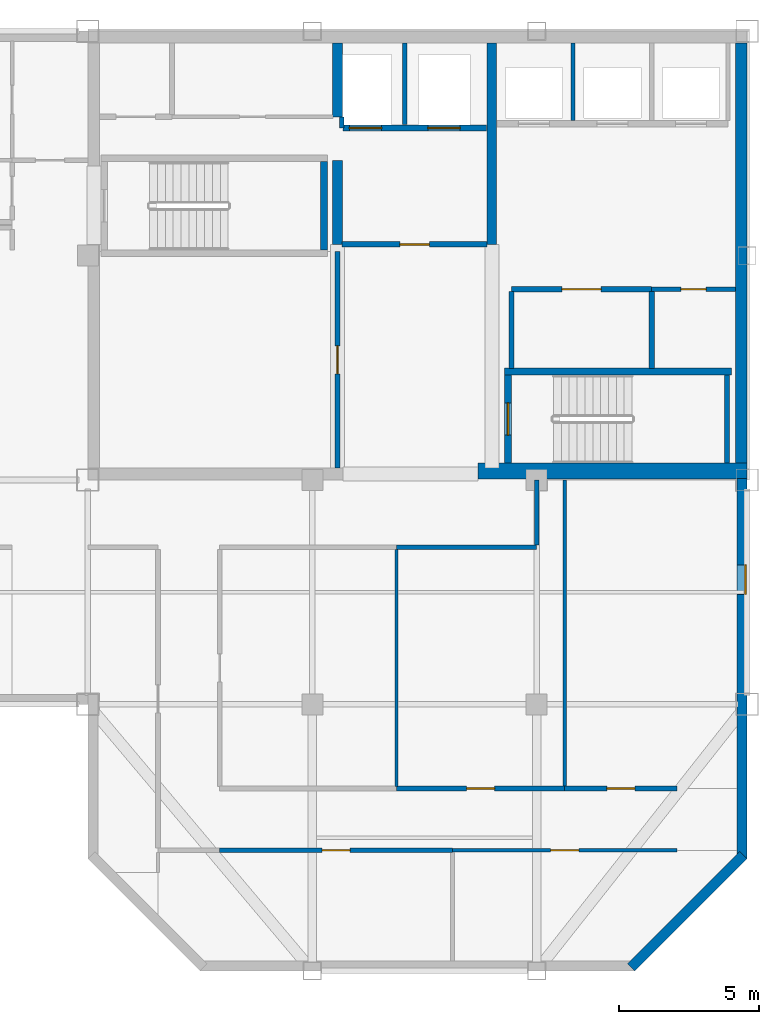
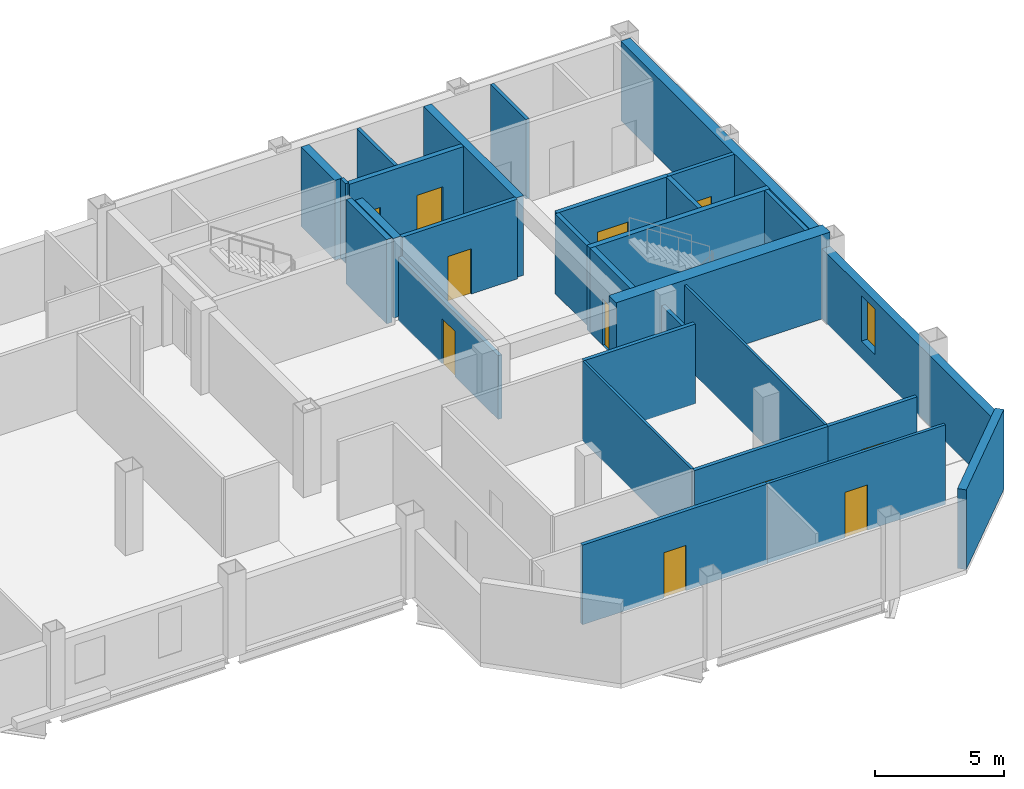
# One storey, part 3 of 7: 29 walls, 11 doors, 1 window, 12 openings.
"""IFC4 building model written with IfcOpenShell, lengths in metres."""

import ifcopenshell
import ifcopenshell.guid

model = None  # the IFC model being written
_history = None  # IfcOwnerHistory: only IFC2X3 demands one
_inside = {}  # id of a spatial element -> (the spatial element, [elements in it])
_under = {}  # id of a project, library or spatial element -> (it, [spatial elements below it])
_declared = {}  # id of a project -> (the project, [libraries it declares])
_typed = {}  # id of a type object -> (the type object, [elements of that type])
_made_of = {}  # id of a material, layer set ... -> (it, [elements and type objects made of it])


def new_model(schema):
    """Start an empty IFC model of exactly this schema.

    Asked for "IFC4X3", IfcOpenShell would pick the latest addendum, in which some entities
    have other attributes; the version numbers below select the first issue.
    IFC2X3 requires an IfcOwnerHistory on every rooted entity: one is made here for all.
    """
    global model, _history
    if schema == "IFC4X3":
        model = ifcopenshell.file(schema_version=(4, 3, 0, 0))
    else:
        model = ifcopenshell.file(schema=schema)
    _inside.clear()
    _under.clear()
    _declared.clear()
    _typed.clear()
    _made_of.clear()
    _history = None
    if model.schema == "IFC2X3":
        org = make("IfcOrganization", Name="unknown")
        user = make(
            "IfcPersonAndOrganization",
            ThePerson=make("IfcPerson", FamilyName="unknown"),
            TheOrganization=org,
        )
        app = make(
            "IfcApplication",
            ApplicationDeveloper=org,
            Version="unknown",
            ApplicationFullName="unknown",
            ApplicationIdentifier="unknown",
        )
        _history = make(
            "IfcOwnerHistory",
            OwningUser=user,
            OwningApplication=app,
            ChangeAction="ADDED",
            CreationDate=0,
        )
    return model


def make(cls, **values):
    """One entity of the class cls with the attributes given. An attribute that is None is left unset."""
    return model.create_entity(
        cls, **{name: value for name, value in values.items() if value is not None}
    )


def rooted(cls, **values):
    """An entity with a GlobalId (a new one), such as an element, a storey or a relation."""
    return make(cls, GlobalId=ifcopenshell.guid.new(), OwnerHistory=_history, **values)


def si_unit(unit_type, name, prefix=None):
    """IfcSIUnit, for example si_unit("LENGTHUNIT", "METRE", prefix="MILLI")."""
    return make("IfcSIUnit", UnitType=unit_type, Prefix=prefix, Name=name)


def assignment(units):
    """IfcUnitAssignment: the units of a project."""
    return None if units is None else make("IfcUnitAssignment", Units=units)


def point(xyz):
    """IfcCartesianPoint."""
    return None if xyz is None else make("IfcCartesianPoint", Coordinates=xyz)


def direction(xyz):
    """IfcDirection."""
    return None if xyz is None else make("IfcDirection", DirectionRatios=xyz)


def frame(location, z_axis=None, x_axis=None):
    """IfcAxis2Placement3D, a coordinate frame: its origin and axes. An axis left out is left unset."""
    return make(
        "IfcAxis2Placement3D",
        Location=point(location),
        Axis=direction(z_axis),
        RefDirection=direction(x_axis),
    )


def frame_2d(location, x_axis=None):
    """IfcAxis2Placement2D, a coordinate frame in the plane: its origin and x axis."""
    return make(
        "IfcAxis2Placement2D", Location=point(location), RefDirection=direction(x_axis)
    )


def origin():
    """The frame at (0, 0, 0) with its axes left unset."""
    return frame((0.0, 0.0, 0.0))


def place(relative_to, where):
    """IfcLocalPlacement: puts the frame where relative to a parent placement (None: the world)."""
    return make(
        "IfcLocalPlacement", PlacementRelTo=relative_to, RelativePlacement=where
    )


def context(
    kind, dimensions, precision=None, world=None, true_north=None, identifier=None
):
    """IfcGeometricRepresentationContext, for example the 3D "Model" context."""
    return make(
        "IfcGeometricRepresentationContext",
        ContextIdentifier=identifier,
        ContextType=kind,
        CoordinateSpaceDimension=dimensions,
        Precision=precision,
        WorldCoordinateSystem=world,
        TrueNorth=true_north,
    )


def subcontext(parent, identifier, kind, view, scale=None):
    """IfcGeometricRepresentationSubContext, for example "Body" below "Model"."""
    return make(
        "IfcGeometricRepresentationSubContext",
        ContextIdentifier=identifier,
        ContextType=kind,
        ParentContext=parent,
        TargetScale=scale,
        TargetView=view,
    )


def project(units=None, contexts=None):
    """IfcProject with its units and contexts."""
    return rooted(
        "IfcProject",
        Name="project",
        RepresentationContexts=contexts,
        UnitsInContext=assignment(units),
    )


def spatial(cls, under=None, at=None, **own):
    """A site, building, storey or space (cls), placed at a placement, below another one or the project."""
    s = rooted(cls, ObjectPlacement=at, **own)
    if under is not None:
        _under.setdefault(under.id(), (under, []))[1].append(s)
    return s


def profile(cls, at=None, kind="AREA", **sizes):
    """A parametric profile (cls). Its sizes go by their IFC names, for example OverallWidth=200.0."""
    return make(cls, ProfileType=kind, Position=at, **sizes)


def rectangle(**sizes):
    """IfcRectangleProfileDef."""
    return profile("IfcRectangleProfileDef", **sizes)


def extrude(swept, where, along, depth):
    """IfcExtrudedAreaSolid: the profile swept, set in the frame where, extruded along a direction by depth."""
    return make(
        "IfcExtrudedAreaSolid",
        SweptArea=swept,
        Position=where,
        ExtrudedDirection=direction(along),
        Depth=depth,
    )


def shape(context_of_items, identifier, shape_type, items):
    """IfcShapeRepresentation: the items that make up one representation, for example the "Body"."""
    return make(
        "IfcShapeRepresentation",
        ContextOfItems=context_of_items,
        RepresentationIdentifier=identifier,
        RepresentationType=shape_type,
        Items=items,
    )


def material(Name=None, Category=None):
    """IfcMaterial."""
    return make("IfcMaterial", Name=Name, Category=Category)


def layer(
    of_material, thickness, ventilated=None, Name=None, Category=None, Priority=None
):
    """IfcMaterialLayer: one layer of a wall or slab, of a material (None: an air gap)."""
    return make(
        "IfcMaterialLayer",
        Material=of_material,
        LayerThickness=thickness,
        IsVentilated=ventilated,
        Name=Name,
        Category=Category,
        Priority=Priority,
    )


def layer_set(layers, Name=None):
    """IfcMaterialLayerSet."""
    return make("IfcMaterialLayerSet", MaterialLayers=layers, LayerSetName=Name)


def made_of(thing, what):
    """Note that an element or type object is made of a material, layer set ...; save() writes the relation."""
    if what is not None:
        _made_of.setdefault(what.id(), (what, []))[1].append(thing)
    return thing


def type_object(cls, material=None, **own):
    """A type object (cls), such as IfcWallType, which elements share."""
    return made_of(rooted(cls, **own), material)


def element(
    cls,
    number,
    at=None,
    inside=None,
    cuts=None,
    type_object=None,
    material=None,
    context=None,
    identifier="Body",
    shape_type=None,
    held_by="IfcProductDefinitionShape",
    body=None,
    shapes=None,
    **own,
):
    """One element of the class cls, such as IfcWall. Its Tag is "e" and its number.

    at: its placement. inside: the storey or other place that contains it. cuts: it is an
    opening in that element (IfcRelVoidsElement). A single representation is given by context,
    identifier, shape_type and body (its items); several are given by shapes. held_by: the class
    of the entity that holds the representations. save() writes the other relations.
    """
    e = rooted(cls, Tag="e%d" % number, ObjectPlacement=at, **own)
    if body is not None:
        shapes = [shape(context, identifier, shape_type, body)]
    if shapes is not None:
        e.Representation = make(held_by, Representations=shapes)
    if inside is not None:
        _inside.setdefault(inside.id(), (inside, []))[1].append(e)
    if cuts is not None:
        rooted(
            "IfcRelVoidsElement", RelatingBuildingElement=cuts, RelatedOpeningElement=e
        )
    if type_object is not None:
        _typed.setdefault(type_object.id(), (type_object, []))[1].append(e)
    return made_of(e, material)


def fill(opening, filler):
    """IfcRelFillsElement: the door or window that sits in an opening."""
    return rooted(
        "IfcRelFillsElement",
        RelatingOpeningElement=opening,
        RelatedBuildingElement=filler,
    )


def aggregate(whole, parts):
    """IfcRelAggregates: a whole, such as a stair, and the parts it consists of."""
    return rooted("IfcRelAggregates", RelatingObject=whole, RelatedObjects=parts)


def save(model, path):
    """Write the relations noted so far, then the file.

    IfcRelAggregates (storeys below a building ...), IfcRelContainedInSpatialStructure (elements
    in a storey), IfcRelDefinesByType, IfcRelAssociatesMaterial and IfcRelDeclares: one each for
    every whole, place, type object, material and project.
    """
    for whole, parts in _under.values():
        aggregate(whole, parts)
    for where, things in _inside.values():
        rooted(
            "IfcRelContainedInSpatialStructure",
            RelatedElements=things,
            RelatingStructure=where,
        )
    for kind, things in _typed.values():
        rooted("IfcRelDefinesByType", RelatedObjects=things, RelatingType=kind)
    for what, things in _made_of.values():
        rooted("IfcRelAssociatesMaterial", RelatedObjects=things, RelatingMaterial=what)
    for by, libraries in _declared.values():
        rooted("IfcRelDeclares", RelatingContext=by, RelatedDefinitions=libraries)
    model.write(path)


model = new_model("IFC4")

# Units and contexts
model_context = context("Model", 3, precision=1e-05, world=origin(), true_north=direction((0.0, 1.0)))
body_context = subcontext(model_context, "Body", "Model", "MODEL_VIEW")
ifc_project = project(units=[si_unit("LENGTHUNIT", "METRE"), si_unit("AREAUNIT", "SQUARE_METRE"), si_unit("VOLUMEUNIT", "CUBIC_METRE"), si_unit("PLANEANGLEUNIT", "RADIAN"), si_unit("MASSUNIT", "GRAM", prefix="KILO")], contexts=[model_context])

# Site, building, storey
site_placement = place(None, origin())
site = spatial("IfcSite", under=ifc_project, at=site_placement, CompositionType="ELEMENT")
building_placement = place(site_placement, origin())
building = spatial("IfcBuilding", under=site, at=building_placement, Name="Qianrong Seaharbour Tower", CompositionType="ELEMENT")
storey_placement = place(building_placement, frame((0.0, 0.0, 327.199951171875)))
storey = spatial("IfcBuildingStorey", under=building, at=storey_placement, Name="L79", CompositionType="ELEMENT", Elevation=327.199951171875)

# Walls
ifc_material_1 = material(Name="Concrete C50/60", Category="concrete")
ifc_layer_1 = layer(ifc_material_1, 0.419921875)
ifc_layer_set_1 = layer_set([ifc_layer_1], Name="Concrete C50/60")
wall_type_1 = type_object("IfcWallType", Name="WALL-CORE-420", PredefinedType="SHEAR", material=ifc_layer_set_1)
wall_1_placement = place(storey_placement, frame((63.7900390625, 36.320068359375, 0.0), z_axis=(0.0, 0.0, 1.0), x_axis=(0.0, 1.0, 0.0)))
element("IfcWall", 1, at=wall_1_placement, inside=storey, type_object=wall_type_1, Name="L79 East Core Shear Wall", PredefinedType="SHEAR", context=body_context, shape_type="SweptSolid", body=[
    extrude(rectangle(XDim=15.260009765625, YDim=0.419921875, at=frame_2d((7.6298828125, 0.0))), origin(), (0.0, 0.0, 1.0), 3.78515625),
])
ifc_material_2 = material(Name="Concrete C70/85", Category="concrete")
ifc_layer_2 = layer(ifc_material_2, 0.580078125)
ifc_layer_set_2 = layer_set([ifc_layer_2], Name="Concrete C70/85")
wall_type_2 = type_object("IfcWallType", Name="WALL-CORE-580", PredefinedType="SHEAR", material=ifc_layer_set_2)
wall_2_placement = place(storey_placement, frame((54.39990234375, 36.320068359375, 0.0), z_axis=(0.0, 0.0, 1.0), x_axis=(1.0, 0.0, 0.0)))
element("IfcWall", 2, at=wall_2_placement, inside=storey, type_object=wall_type_2, Name="L79 South Core Shear Wall S3", PredefinedType="SHEAR", context=body_context, shape_type="SweptSolid", body=[
    extrude(rectangle(XDim=9.60009765625, YDim=0.580078125, at=frame_2d((4.800048828125, 0.0))), origin(), (0.0, 0.0, 1.0), 4.0),
])
ifc_layer_3 = layer(ifc_material_1, 0.35009765625)
ifc_layer_set_3 = layer_set([ifc_layer_3], Name="Concrete C50/60")
wall_type_3 = type_object("IfcWallType", Name="WALL-CORE-INT-350", PredefinedType="SHEAR", material=ifc_layer_set_3)
wall_3_placement = place(storey_placement, frame((49.39990234375, 44.39990234375, 0.0), z_axis=(0.0, 0.0, 1.0), x_axis=(0.0, 1.0, 0.0)))
element("IfcWall", 3, at=wall_3_placement, inside=storey, type_object=wall_type_3, Name="L79 Internal Core Shear Wall IW1N1", PredefinedType="SHEAR", context=body_context, shape_type="SweptSolid", body=[
    extrude(rectangle(XDim=3.0, YDim=0.35009765625, at=frame_2d((1.5, 0.0))), origin(), (0.0, 0.0, 1.0), 3.78515625),
])
wall_4_placement = place(storey_placement, frame((49.39990234375, 48.949951171875, 0.0), z_axis=(0.0, 0.0, 1.0), x_axis=(0.0, 1.0, 0.0)))
element("IfcWall", 4, at=wall_4_placement, inside=storey, type_object=wall_type_3, Name="L79 Internal Core Shear Wall IW1N2", PredefinedType="SHEAR", context=body_context, shape_type="SweptSolid", body=[
    extrude(rectangle(XDim=2.630126953125, YDim=0.35009765625, at=frame_2d((1.31494140625, 0.0))), origin(), (0.0, 0.0, 1.0), 3.78515625),
])
wall_5_placement = place(storey_placement, frame((54.89990234375, 44.39990234375, 0.0), z_axis=(0.0, 0.0, 1.0), x_axis=(0.0, 1.0, 0.0)))
element("IfcWall", 5, at=wall_5_placement, inside=storey, type_object=wall_type_3, Name="L79 Internal Core Shear Wall IW2N", PredefinedType="SHEAR", context=body_context, shape_type="SweptSolid", body=[
    extrude(rectangle(XDim=7.18017578125, YDim=0.35009765625, at=frame_2d((3.590087890625, 0.0))), origin(), (0.0, 0.0, 1.0), 3.78515625),
])

# Wall, opening, door
ifc_material_3 = material(Name="Fire-rated acoustic gypsum board partition")
ifc_layer_4 = layer(ifc_material_3, 0.1650390625)
ifc_layer_set_4 = layer_set([ifc_layer_4], Name="Fire-rated acoustic gypsum board partition")
wall_type_4 = type_object("IfcWallType", Name="WALL-CORR-PART-165", PredefinedType="PARTITIONING", material=ifc_layer_set_4)
wall_6_placement = place(storey_placement, frame((49.39990234375, 36.419921875, 0.0), z_axis=(0.0, 0.0, 1.0), x_axis=(0.0, 1.0, 0.0)))
wall_6 = element("IfcWall", 6, at=wall_6_placement, inside=storey, type_object=wall_type_4, Name="L79 Interior Partition Wall 009", PredefinedType="PARTITIONING", context=body_context, shape_type="SweptSolid", body=[
    extrude(rectangle(XDim=7.72998046875, YDim=0.1650390625, at=frame_2d((3.864990234375, 0.0))), origin(), (0.0, 0.0, 1.0), 3.027099609375),
])
opening_1_placement = place(wall_6_placement, frame((3.364990234375, 0.0, 0.0)))
opening_1 = element("IfcOpeningElement", 7, at=opening_1_placement, cuts=wall_6, Name="Opening DO-01", PredefinedType="OPENING", context=body_context, shape_type="SweptSolid", body=[
    extrude(rectangle(XDim=1.0, YDim=2.14990234375, at=frame_2d((0.5, 1.074951171875))), frame((0.0, 0.092529296875, 0.0), z_axis=(0.0, -1.0, 0.0), x_axis=(1.0, 0.0, 0.0)), (0.0, 0.0, 1.0), 0.18505859375),
])
ifc_material_4 = material(Name="Acoustic timber and galvanized steel fire door assembly", Category="steel")
door_type_1 = type_object("IfcDoorType", Name="DOOR-OFFICE-1000x2150", OperationType="NOTDEFINED", PredefinedType="DOOR", material=ifc_material_4)
door_1_placement = place(opening_1_placement, origin())
door_1 = element("IfcDoor", 8, at=door_1_placement, inside=storey, type_object=door_type_1, Name="L79 Data Systems Office Door", OperationType="SINGLE_SWING_RIGHT", OverallHeight=2.14990234375, OverallWidth=1.0, PredefinedType="DOOR", context=body_context, shape_type="SweptSolid", body=[
    extrude(rectangle(XDim=1.0, YDim=2.14990234375, at=frame_2d((0.5, 1.074951171875))), frame((0.0, 0.02490234375, 0.0), z_axis=(0.0, -1.0, 0.0), x_axis=(1.0, 0.0, 0.0)), (0.0, 0.0, 1.0), 0.050048828125),
])
fill(opening_1, door_1)

wall_7_placement = place(storey_placement, frame((63.580078125, 42.800048828125, 0.0), z_axis=(0.0, 0.0, 1.0), x_axis=(-1.0, 0.0, 0.0)))
wall_7 = element("IfcWall", 9, at=wall_7_placement, inside=storey, type_object=wall_type_4, Name="L79 Interior Partition Wall 012", PredefinedType="PARTITIONING", context=body_context, shape_type="SweptSolid", body=[
    extrude(rectangle(XDim=2.97998046875, YDim=0.1650390625, at=frame_2d((1.489990234375, 0.0))), origin(), (0.0, 0.0, 1.0), 3.78515625),
])
opening_2_placement = place(wall_7_placement, frame((1.0400390625, 0.0, 0.0)))
opening_2 = element("IfcOpeningElement", 10, at=opening_2_placement, cuts=wall_7, Name="Opening DS-01", PredefinedType="OPENING", context=body_context, shape_type="SweptSolid", body=[
    extrude(rectangle(XDim=0.89990234375, YDim=2.14990234375, at=frame_2d((0.449951171875, 1.074951171875))), frame((0.0, 0.092529296875, 0.0), z_axis=(0.0, -1.0, 0.0), x_axis=(1.0, 0.0, 0.0)), (0.0, 0.0, 1.0), 0.18505859375),
])
door_type_2 = type_object("IfcDoorType", Name="DOOR-STORE-900x2150", OperationType="NOTDEFINED", PredefinedType="DOOR", material=ifc_material_4)
door_2_placement = place(opening_2_placement, origin())
door_2 = element("IfcDoor", 11, at=door_2_placement, inside=storey, type_object=door_type_2, Name="L79 Housekeeping Linen Store Door", OperationType="SINGLE_SWING_RIGHT", OverallHeight=2.14990234375, OverallWidth=0.89990234375, PredefinedType="DOOR", context=body_context, shape_type="SweptSolid", body=[
    extrude(rectangle(XDim=0.89990234375, YDim=2.14990234375, at=frame_2d((0.449951171875, 1.074951171875))), frame((0.0, 0.02490234375, 0.0), z_axis=(0.0, -1.0, 0.0), x_axis=(1.0, 0.0, 0.0)), (0.0, 0.0, 1.0), 0.050048828125),
])
fill(opening_2, door_2)

# Walls
wall_8_placement = place(storey_placement, frame((56.5, 36.0, 0.0), z_axis=(0.0, 0.0, 1.0), x_axis=(0.0, -1.0, 0.0)))
element("IfcWall", 12, at=wall_8_placement, inside=storey, type_object=wall_type_4, Name="L79 Interior Partition Wall 024", PredefinedType="PARTITIONING", context=body_context, shape_type="SweptSolid", body=[
    extrude(rectangle(XDim=2.325439453125, YDim=0.1650390625, at=frame_2d((1.16259765625, 0.0))), origin(), (0.0, 0.0, 1.0), 3.177001953125),
])
wall_9_placement = place(storey_placement, frame((56.5, 33.60009765625, 0.0), z_axis=(0.0, 0.0, 1.0), x_axis=(-1.0, 0.0, 0.0)))
element("IfcWall", 13, at=wall_9_placement, inside=storey, type_object=wall_type_4, Name="L79 Interior Partition Wall 025", PredefinedType="PARTITIONING", context=body_context, shape_type="SweptSolid", body=[
    extrude(rectangle(XDim=5.0, YDim=0.1650390625, at=frame_2d((2.5, 0.0))), origin(), (0.0, 0.0, 1.0), 3.78515625),
])

# Wall, opening, door
wall_10_placement = place(storey_placement, frame((51.5, 25.0, 0.0), z_axis=(0.0, 0.0, 1.0), x_axis=(1.0, 0.0, 0.0)))
wall_10 = element("IfcWall", 14, at=wall_10_placement, inside=storey, type_object=wall_type_4, Name="L79 Interior Partition Wall 031", PredefinedType="PARTITIONING", context=body_context, shape_type="SweptSolid", body=[
    extrude(rectangle(XDim=6.0, YDim=0.1650390625, at=frame_2d((3.0, 0.0))), origin(), (0.0, 0.0, 1.0), 3.78515625),
])
opening_3_placement = place(wall_10_placement, frame((2.5, 0.0, 0.0)))
opening_3 = element("IfcOpeningElement", 15, at=opening_3_placement, cuts=wall_10, Name="Opening DO-01", PredefinedType="OPENING", context=body_context, shape_type="SweptSolid", body=[
    extrude(rectangle(XDim=1.0, YDim=2.14990234375, at=frame_2d((0.5, 1.074951171875))), frame((0.0, 0.092529296875, 0.0), z_axis=(0.0, -1.0, 0.0), x_axis=(1.0, 0.0, 0.0)), (0.0, 0.0, 1.0), 0.18505859375),
])
door_3_placement = place(opening_3_placement, origin())
door_3 = element("IfcDoor", 16, at=door_3_placement, inside=storey, type_object=door_type_1, Name="L79 Catering Servery Kitchen 2 Door", OperationType="SINGLE_SWING_LEFT", OverallHeight=2.14990234375, OverallWidth=1.0, PredefinedType="DOOR", context=body_context, shape_type="SweptSolid", body=[
    extrude(rectangle(XDim=1.0, YDim=2.14990234375, at=frame_2d((0.5, 1.074951171875))), frame((0.0, 0.02490234375, 0.0), z_axis=(0.0, -1.0, 0.0), x_axis=(1.0, 0.0, 0.0)), (0.0, 0.0, 1.0), 0.050048828125),
])
fill(opening_3, door_3)

wall_11_placement = place(storey_placement, frame((57.5, 25.0, 0.0), z_axis=(0.0, 0.0, 1.0), x_axis=(1.0, 0.0, 0.0)))
wall_11 = element("IfcWall", 17, at=wall_11_placement, inside=storey, type_object=wall_type_4, Name="L79 Interior Partition Wall 032", PredefinedType="PARTITIONING", context=body_context, shape_type="SweptSolid", body=[
    extrude(rectangle(XDim=4.0, YDim=0.1650390625, at=frame_2d((2.0, 0.0))), origin(), (0.0, 0.0, 1.0), 3.78515625),
])
opening_4_placement = place(wall_11_placement, frame((1.5, 0.0, 0.0)))
opening_4 = element("IfcOpeningElement", 18, at=opening_4_placement, cuts=wall_11, Name="Opening DO-01", PredefinedType="OPENING", context=body_context, shape_type="SweptSolid", body=[
    extrude(rectangle(XDim=1.0, YDim=2.14990234375, at=frame_2d((0.5, 1.074951171875))), frame((0.0, 0.092529296875, 0.0), z_axis=(0.0, -1.0, 0.0), x_axis=(1.0, 0.0, 0.0)), (0.0, 0.0, 1.0), 0.18505859375),
])
door_4_placement = place(opening_4_placement, origin())
door_4 = element("IfcDoor", 19, at=door_4_placement, inside=storey, type_object=door_type_1, Name="L79 Staff Lounge 3 Door", OperationType="SINGLE_SWING_RIGHT", OverallHeight=2.14990234375, OverallWidth=1.0, PredefinedType="DOOR", context=body_context, shape_type="SweptSolid", body=[
    extrude(rectangle(XDim=1.0, YDim=2.14990234375, at=frame_2d((0.5, 1.074951171875))), frame((0.0, 0.02490234375, 0.0), z_axis=(0.0, -1.0, 0.0), x_axis=(1.0, 0.0, 0.0)), (0.0, 0.0, 1.0), 0.050048828125),
])
fill(opening_4, door_4)

wall_12_placement = place(storey_placement, frame((53.5, 22.800048828125, 0.0), z_axis=(0.0, 0.0, 1.0), x_axis=(-1.0, 0.0, 0.0)))
wall_12 = element("IfcWall", 20, at=wall_12_placement, inside=storey, type_object=wall_type_4, Name="L79 Interior Partition Wall 033", PredefinedType="PARTITIONING", context=body_context, shape_type="SweptSolid", body=[
    extrude(rectangle(XDim=8.300048828125, YDim=0.1650390625, at=frame_2d((4.14990234375, 0.0))), origin(), (0.0, 0.0, 1.0), 3.78515625),
])
opening_5_placement = place(wall_12_placement, frame((3.64990234375, 0.0, 0.0)))
opening_5 = element("IfcOpeningElement", 21, at=opening_5_placement, cuts=wall_12, Name="Opening DO-01", PredefinedType="OPENING", context=body_context, shape_type="SweptSolid", body=[
    extrude(rectangle(XDim=1.0, YDim=2.14990234375, at=frame_2d((0.5, 1.074951171875))), frame((0.0, 0.092529296875, 0.0), z_axis=(0.0, -1.0, 0.0), x_axis=(1.0, 0.0, 0.0)), (0.0, 0.0, 1.0), 0.18505859375),
])
door_5_placement = place(opening_5_placement, origin())
door_5 = element("IfcDoor", 22, at=door_5_placement, inside=storey, type_object=door_type_1, Name="L79 South View Lounge 1 Door", OperationType="SINGLE_SWING_RIGHT", OverallHeight=2.14990234375, OverallWidth=1.0, PredefinedType="DOOR", context=body_context, shape_type="SweptSolid", body=[
    extrude(rectangle(XDim=1.0, YDim=2.14990234375, at=frame_2d((0.5, 1.074951171875))), frame((0.0, 0.02490234375, 0.0), z_axis=(0.0, -1.0, 0.0), x_axis=(1.0, 0.0, 0.0)), (0.0, 0.0, 1.0), 0.050048828125),
])
fill(opening_5, door_5)

# Walls
ifc_material_5 = material(Name="Demountable aluminium-framed acoustic office partition", Category="aluminium")
ifc_layer_5 = layer(ifc_material_5, 0.110107421875)
ifc_layer_set_5 = layer_set([ifc_layer_5], Name="Demountable aluminium-framed acoustic office partition")
wall_type_5 = type_object("IfcWallType", Name="WALL-DEMOUNT-110", PredefinedType="MOVABLE", material=ifc_layer_set_5)
wall_13_placement = place(storey_placement, frame((51.5, 33.525390625, 0.0), z_axis=(0.0, 0.0, 1.0), x_axis=(0.0, -1.0, 0.0)))
element("IfcWall", 23, at=wall_13_placement, inside=storey, type_object=wall_type_5, Name="L79 Interior Partition Wall 041", PredefinedType="MOVABLE", context=body_context, shape_type="SweptSolid", body=[
    extrude(rectangle(XDim=8.450927734375, YDim=0.110107421875, at=frame_2d((4.2255859375, 0.0))), origin(), (0.0, 0.0, 1.0), 3.78515625),
])
wall_14_placement = place(storey_placement, frame((57.5, 36.0, 0.0), z_axis=(0.0, 0.0, 1.0), x_axis=(0.0, -1.0, 0.0)))
element("IfcWall", 24, at=wall_14_placement, inside=storey, type_object=wall_type_5, Name="L79 Interior Partition Wall 042", PredefinedType="MOVABLE", context=body_context, shape_type="SweptSolid", body=[
    extrude(rectangle(XDim=10.925537109375, YDim=0.110107421875, at=frame_2d((5.462890625, 0.0))), origin(), (0.0, 0.0, 1.0), 3.78515625),
])

# Wall, opening, window
ifc_material_6 = material(Name="Unitised red brick on Precast concrete C45/55", Category="masonry")
ifc_layer_6 = layer(ifc_material_6, 0.360107421875)
ifc_layer_set_6 = layer_set([ifc_layer_6], Name="Unitised red brick on Precast concrete C45/55")
wall_type_6 = type_object("IfcWallType", Name="WALL-EXT-BRICK-RED-360", PredefinedType="SOLIDWALL", material=ifc_layer_set_6)
wall_15_placement = place(storey_placement, frame((63.820068359375, 36.050048828125, 0.0), z_axis=(0.0, 0.0, 1.0), x_axis=(0.0, -1.0, 0.0)))
wall_15 = element("IfcWall", 25, at=wall_15_placement, inside=storey, type_object=wall_type_6, Name="L79 Exterior Masonry Facade Wall EAST_WING", PredefinedType="SOLIDWALL", context=body_context, shape_type="SweptSolid", body=[
    extrude(rectangle(XDim=13.550048828125, YDim=0.360107421875, at=frame_2d((6.77490234375, 0.0))), origin(), (0.0, 0.0, 1.0), 3.3349609375),
])
opening_6_placement = place(wall_15_placement, frame((3.074951171875, 0.0, 0.800048828125)))
opening_6 = element("IfcOpeningElement", 26, at=opening_6_placement, cuts=wall_15, Name="Opening WN-14", PredefinedType="OPENING", context=body_context, shape_type="SweptSolid", body=[
    extrude(rectangle(XDim=1.050048828125, YDim=2.14990234375, at=frame_2d((0.52490234375, 1.074951171875))), frame((0.0, 0.18994140625, 0.0), z_axis=(0.0, -1.0, 0.0), x_axis=(1.0, 0.0, 0.0)), (0.0, 0.0, 1.0), 0.380126953125),
])
ifc_material_7 = material(Name="Insulated low-e double glazing in thermally broken aluminium 6063-T6 frame", Category="aluminium")
window_type = type_object("IfcWindowType", Name="WIN-NARROW-1050x2150", PartitioningType="SINGLE_PANEL", PredefinedType="WINDOW", material=ifc_material_7)
window_placement = place(opening_6_placement, origin())
window = element("IfcWindow", 27, at=window_placement, inside=storey, type_object=window_type, Name="L79 Deep-Set Punched Window 06.01", OverallHeight=2.14990234375, OverallWidth=1.050048828125, PartitioningType="SINGLE_PANEL", PredefinedType="WINDOW", context=body_context, shape_type="SweptSolid", body=[
    extrude(rectangle(XDim=1.050048828125, YDim=2.14990234375, at=frame_2d((0.52490234375, 1.074951171875))), frame((0.0, 0.150146484375, 0.0), z_axis=(0.0, -1.0, 0.0), x_axis=(1.0, 0.0, 0.0)), (0.0, 0.0, 1.0), 0.06005859375),
])
fill(opening_6, window)

# Wall
wall_16_placement = place(storey_placement, frame((63.872802734375, 22.627197265625, 0.0), z_axis=(0.0, 0.0, 1.0), x_axis=(-0.707106781187, -0.707106781187, 0.0)))
element("IfcWall", 28, at=wall_16_placement, inside=storey, type_object=wall_type_6, Name="L79 Exterior Masonry Facade Wall E07", PredefinedType="SOLIDWALL", context=body_context, shape_type="SweptSolid", body=[
    extrude(rectangle(XDim=5.65673828125, YDim=0.360107421875, at=frame_2d((2.828369140625, 0.0))), origin(), (0.0, 0.0, 1.0), 3.78515625),
])

# Wall, opening, door
ifc_material_8 = material(Name="Double fire-rated gypsum board acoustic partition")
ifc_layer_7 = layer(ifc_material_8, 0.18994140625)
ifc_layer_set_7 = layer_set([ifc_layer_7], Name="Double fire-rated gypsum board acoustic partition")
wall_type_7 = type_object("IfcWallType", Name="WALL-FIRE-PART-190", PredefinedType="PARTITIONING", material=ifc_layer_set_7)
wall_17_placement = place(storey_placement, frame((54.73291015625, 44.39990234375, 0.0), z_axis=(0.0, 0.0, 1.0), x_axis=(-1.0, 0.0, 0.0)))
wall_17 = element("IfcWall", 29, at=wall_17_placement, inside=storey, type_object=wall_type_7, Name="L79 Interior Partition Wall 008", PredefinedType="PARTITIONING", context=body_context, shape_type="SweptSolid", body=[
    extrude(rectangle(XDim=5.166015625, YDim=0.18994140625, at=frame_2d((2.5830078125, 0.0))), origin(), (0.0, 0.0, 1.0), 3.78515625),
])
opening_7_placement = place(wall_17_placement, frame((2.05810546875, 0.0, 0.0)))
opening_7 = element("IfcOpeningElement", 30, at=opening_7_placement, cuts=wall_17, Name="Opening DC-01", PredefinedType="OPENING", context=body_context, shape_type="SweptSolid", body=[
    extrude(rectangle(XDim=1.050048828125, YDim=2.14990234375, at=frame_2d((0.52490234375, 1.074951171875))), frame((0.0, 0.10498046875, 0.0), z_axis=(0.0, -1.0, 0.0), x_axis=(1.0, 0.0, 0.0)), (0.0, 0.0, 1.0), 0.2099609375),
])
door_type_3 = type_object("IfcDoorType", Name="DOOR-CORR-FD60-1050x2150", OperationType="NOTDEFINED", PredefinedType="DOOR", material=ifc_material_4)
door_6_placement = place(opening_7_placement, origin())
door_6 = element("IfcDoor", 31, at=door_6_placement, inside=storey, type_object=door_type_3, Name="L79 Firefighting Lift Lobby Door", OperationType="SINGLE_SWING_LEFT", OverallHeight=2.14990234375, OverallWidth=1.050048828125, PredefinedType="DOOR", context=body_context, shape_type="SweptSolid", body=[
    extrude(rectangle(XDim=1.050048828125, YDim=2.14990234375, at=frame_2d((0.52490234375, 1.074951171875))), frame((0.0, 0.02490234375, 0.0), z_axis=(0.0, -1.0, 0.0), x_axis=(1.0, 0.0, 0.0)), (0.0, 0.0, 1.0), 0.050048828125),
])
fill(opening_7, door_6)

# Wall
wall_18_placement = place(storey_placement, frame((55.60009765625, 42.712890625, 0.0), z_axis=(0.0, 0.0, 1.0), x_axis=(0.0, -1.0, 0.0)))
element("IfcWall", 32, at=wall_18_placement, inside=storey, type_object=wall_type_7, Name="L79 Interior Partition Wall 010", PredefinedType="PARTITIONING", context=body_context, shape_type="SweptSolid", body=[
    extrude(rectangle(XDim=2.73095703125, YDim=0.18994140625, at=frame_2d((1.365478515625, 0.0))), origin(), (0.0, 0.0, 1.0), 3.78515625),
])

# Wall, opening, door
wall_19_placement = place(storey_placement, frame((60.60009765625, 42.800048828125, 0.0), z_axis=(0.0, 0.0, 1.0), x_axis=(-1.0, 0.0, 0.0)))
wall_19 = element("IfcWall", 33, at=wall_19_placement, inside=storey, type_object=wall_type_7, Name="L79 Interior Partition Wall 011", PredefinedType="PARTITIONING", context=body_context, shape_type="SweptSolid", body=[
    extrude(rectangle(XDim=5.0, YDim=0.18994140625, at=frame_2d((2.5, 0.0))), origin(), (0.0, 0.0, 1.0), 3.78515625),
])
opening_8_placement = place(wall_19_placement, frame((1.800048828125, 0.0, 0.0)))
opening_8 = element("IfcOpeningElement", 34, at=opening_8_placement, cuts=wall_19, Name="Opening DP-01", PredefinedType="OPENING", context=body_context, shape_type="SweptSolid", body=[
    extrude(rectangle(XDim=1.39990234375, YDim=2.25, at=frame_2d((0.699951171875, 1.125))), frame((0.0, 0.10498046875, 0.0), z_axis=(0.0, -1.0, 0.0), x_axis=(1.0, 0.0, 0.0)), (0.0, 0.0, 1.0), 0.2099609375),
])
door_type_4 = type_object("IfcDoorType", Name="DOOR-PLANT-PAIR-1400x2250", OperationType="DOUBLE_DOOR_SINGLE_SWING", PredefinedType="DOOR", material=ifc_material_4)
door_7_placement = place(opening_8_placement, origin())
door_7 = element("IfcDoor", 35, at=door_7_placement, inside=storey, type_object=door_type_4, Name="L79 Submetering Switch Room Door", OperationType="DOUBLE_DOOR_SINGLE_SWING", OverallHeight=2.25, OverallWidth=1.39990234375, PredefinedType="DOOR", context=body_context, shape_type="SweptSolid", body=[
    extrude(rectangle(XDim=1.39990234375, YDim=2.25, at=frame_2d((0.699951171875, 1.125))), frame((0.0, 0.02490234375, 0.0), z_axis=(0.0, -1.0, 0.0), x_axis=(1.0, 0.0, 0.0)), (0.0, 0.0, 1.0), 0.050048828125),
])
fill(opening_8, door_7)

# Walls
wall_20_placement = place(storey_placement, frame((60.60009765625, 42.712890625, 0.0), z_axis=(0.0, 0.0, 1.0), x_axis=(0.0, -1.0, 0.0)))
element("IfcWall", 36, at=wall_20_placement, inside=storey, type_object=wall_type_7, Name="L79 Interior Partition Wall 014", PredefinedType="PARTITIONING", context=body_context, shape_type="SweptSolid", body=[
    extrude(rectangle(XDim=2.73095703125, YDim=0.18994140625, at=frame_2d((1.365478515625, 0.0))), origin(), (0.0, 0.0, 1.0), 3.78515625),
])
ifc_material_9 = material(Name="Fire-rated gypsum board on steel studs", Category="steel")
ifc_layer_8 = layer(ifc_material_9, 0.14990234375)
ifc_layer_set_8 = layer_set([ifc_layer_8], Name="Fire-rated gypsum board on steel studs")
wall_type_8 = type_object("IfcWallType", Name="WALL-SHAFT-DIV-150", PredefinedType="PARTITIONING", material=ifc_layer_set_8)
wall_21_placement = place(storey_placement, frame((51.800048828125, 48.669921875, 0.0), z_axis=(0.0, 0.0, 1.0), x_axis=(0.0, 1.0, 0.0)))
element("IfcWall", 37, at=wall_21_placement, inside=storey, type_object=wall_type_8, Name="L79 Firefighting Lift Shaft Divider Wall", PredefinedType="PARTITIONING", context=body_context, shape_type="SweptSolid", body=[
    extrude(rectangle(XDim=2.91015625, YDim=0.14990234375, at=frame_2d((1.455078125, 0.0))), origin(), (0.0, 0.0, 1.0), 3.78515625),
])
wall_22_placement = place(storey_placement, frame((49.550048828125, 48.550048828125, 0.0), z_axis=(0.0, 0.0, 1.0), x_axis=(0.0, 1.0, 0.0)))
element("IfcWall", 38, at=wall_22_placement, inside=storey, type_object=wall_type_8, Name="L79 Firefighting Lift Shaft West Return Wall", PredefinedType="PARTITIONING", context=body_context, shape_type="SweptSolid", body=[
    extrude(rectangle(XDim=0.39990234375, YDim=0.14990234375, at=frame_2d((0.199951171875, 0.0))), origin(), (0.0, 0.0, 1.0), 3.78515625),
])
wall_23_placement = place(storey_placement, frame((57.800048828125, 48.81005859375, 0.0), z_axis=(0.0, 0.0, 1.0), x_axis=(0.0, 1.0, 0.0)))
element("IfcWall", 39, at=wall_23_placement, inside=storey, type_object=wall_type_8, Name="L79 P4 Lift Hoistway Divider 2", PredefinedType="PARTITIONING", context=body_context, shape_type="SweptSolid", body=[
    extrude(rectangle(XDim=2.77001953125, YDim=0.14990234375, at=frame_2d((1.385009765625, 0.0))), origin(), (0.0, 0.0, 1.0), 3.78515625),
])

# Wall, openings, doors
ifc_layer_9 = layer(ifc_material_9, 0.219970703125)
ifc_layer_set_9 = layer_set([ifc_layer_9], Name="Fire-rated gypsum board on steel studs")
wall_type_9 = type_object("IfcWallType", Name="WALL-SHAFT-GYP220", PredefinedType="PARTITIONING", material=ifc_layer_set_9)
wall_24_placement = place(storey_placement, frame((54.7099609375, 48.550048828125, 0.0), z_axis=(0.0, 0.0, 1.0), x_axis=(-1.0, 0.0, 0.0)))
wall_24 = element("IfcWall", 40, at=wall_24_placement, inside=storey, type_object=wall_type_9, Name="L79 Firefighting Lift Shaft Front Wall", PredefinedType="PARTITIONING", context=body_context, shape_type="SweptSolid", body=[
    extrude(rectangle(XDim=5.119873046875, YDim=0.219970703125, at=frame_2d((2.56005859375, 0.0))), origin(), (0.0, 0.0, 1.0), 3.78515625),
])
opening_9_placement = place(wall_24_placement, frame((3.735107421875, 0.0, 0.0)))
opening_9 = element("IfcOpeningElement", 41, at=opening_9_placement, cuts=wall_24, Name="Opening LD-01", PredefinedType="OPENING", context=body_context, shape_type="SweptSolid", body=[
    extrude(rectangle(XDim=1.14990234375, YDim=2.199951171875, at=frame_2d((0.574951171875, 1.10009765625))), frame((0.0, 0.1201171875, 0.0), z_axis=(0.0, -1.0, 0.0), x_axis=(1.0, 0.0, 0.0)), (0.0, 0.0, 1.0), 0.239990234375),
])
opening_10_placement = place(wall_24_placement, frame((0.93505859375, 0.0, 0.0)))
opening_10 = element("IfcOpeningElement", 42, at=opening_10_placement, cuts=wall_24, Name="Opening LD-01", PredefinedType="OPENING", context=body_context, shape_type="SweptSolid", body=[
    extrude(rectangle(XDim=1.14990234375, YDim=2.199951171875, at=frame_2d((0.574951171875, 1.10009765625))), frame((0.0, 0.1201171875, 0.0), z_axis=(0.0, -1.0, 0.0), x_axis=(1.0, 0.0, 0.0)), (0.0, 0.0, 1.0), 0.239990234375),
])
ifc_material_10 = material(Name="Stainless steel SUS316L bi-parting lift landing door", Category="steel")
door_type_5 = type_object("IfcDoorType", Name="DOOR-LIFT-FF-1150x2200", OperationType="DOUBLE_DOOR_SLIDING", PredefinedType="DOOR", material=ifc_material_10)
door_8_placement = place(opening_9_placement, origin())
door_8 = element("IfcDoor", 43, at=door_8_placement, inside=storey, type_object=door_type_5, Name="L79 FL-1 Firefighting Lift Landing Door", OperationType="DOUBLE_DOOR_SLIDING", OverallHeight=2.199951171875, OverallWidth=1.14990234375, PredefinedType="DOOR", context=body_context, shape_type="SweptSolid", body=[
    extrude(rectangle(XDim=1.14990234375, YDim=2.199951171875, at=frame_2d((0.574951171875, 1.10009765625))), frame((0.0, 0.02490234375, 0.0), z_axis=(0.0, -1.0, 0.0), x_axis=(1.0, 0.0, 0.0)), (0.0, 0.0, 1.0), 0.050048828125),
])
fill(opening_9, door_8)
door_9_placement = place(opening_10_placement, origin())
door_9 = element("IfcDoor", 44, at=door_9_placement, inside=storey, type_object=door_type_5, Name="L79 FL-2 Firefighting Lift Landing Door", OperationType="DOUBLE_DOOR_SLIDING", OverallHeight=2.199951171875, OverallWidth=1.14990234375, PredefinedType="DOOR", context=body_context, shape_type="SweptSolid", body=[
    extrude(rectangle(XDim=1.14990234375, YDim=2.199951171875, at=frame_2d((0.574951171875, 1.10009765625))), frame((0.0, 0.02490234375, 0.0), z_axis=(0.0, -1.0, 0.0), x_axis=(1.0, 0.0, 0.0)), (0.0, 0.0, 1.0), 0.050048828125),
])
fill(opening_10, door_9)

# Walls
ifc_layer_10 = layer(ifc_material_1, 0.239990234375)
ifc_layer_set_10 = layer_set([ifc_layer_10], Name="Concrete C50/60")
wall_type_10 = type_object("IfcWallType", Name="WALL-SHAFT-RC240", PredefinedType="SOLIDWALL", material=ifc_layer_set_10)
wall_25_placement = place(storey_placement, frame((48.919921875, 44.199951171875, 0.0), z_axis=(0.0, 0.0, 1.0), x_axis=(0.0, 1.0, 0.0)))
element("IfcWall", 45, at=wall_25_placement, inside=storey, type_object=wall_type_10, Name="L79 ST-1 Structural Stair Core Wall E", PredefinedType="SOLIDWALL", context=body_context, shape_type="SweptSolid", body=[
    extrude(rectangle(XDim=3.150146484375, YDim=0.239990234375, at=frame_2d((1.5751953125, 0.0))), origin(), (0.0, 0.0, 1.0), 4.0),
])
wall_26_placement = place(storey_placement, frame((55.360107421875, 39.8701171875, 0.0), z_axis=(0.0, 0.0, 1.0), x_axis=(1.0, 0.0, 0.0)))
element("IfcWall", 46, at=wall_26_placement, inside=storey, type_object=wall_type_10, Name="L79 ST-2 Structural Stair Core Wall N", PredefinedType="SOLIDWALL", context=body_context, shape_type="SweptSolid", body=[
    extrude(rectangle(XDim=8.079833984375, YDim=0.239990234375, at=frame_2d((4.0400390625, 0.0))), origin(), (0.0, 0.0, 1.0), 4.0),
])

# Wall, opening, door
wall_27_placement = place(storey_placement, frame((55.47998046875, 39.75, 0.0), z_axis=(0.0, 0.0, 1.0), x_axis=(0.0, -1.0, 0.0)))
wall_27 = element("IfcWall", 47, at=wall_27_placement, inside=storey, type_object=wall_type_10, Name="L79 ST-2 Structural Stair Core Wall W", PredefinedType="SOLIDWALL", context=body_context, shape_type="SweptSolid", body=[
    extrude(rectangle(XDim=3.14990234375, YDim=0.239990234375, at=frame_2d((1.574951171875, 0.0))), origin(), (0.0, 0.0, 1.0), 4.0),
])
opening_11_placement = place(wall_27_placement, frame((1.0, 0.0, 0.0)))
opening_11 = element("IfcOpeningElement", 48, at=opening_11_placement, cuts=wall_27, Name="Opening SD-01", PredefinedType="OPENING", context=body_context, shape_type="SweptSolid", body=[
    extrude(rectangle(XDim=1.14990234375, YDim=2.199951171875, at=frame_2d((0.574951171875, 1.10009765625))), frame((0.0, 0.1298828125, 0.0), z_axis=(0.0, -1.0, 0.0), x_axis=(1.0, 0.0, 0.0)), (0.0, 0.0, 1.0), 0.260009765625),
])
door_type_6 = type_object("IfcDoorType", Name="DOOR-STAIR-FD60-1150x2200", OperationType="NOTDEFINED", PredefinedType="DOOR", material=ifc_material_4)
door_10_placement = place(opening_11_placement, origin())
door_10 = element("IfcDoor", 49, at=door_10_placement, inside=storey, type_object=door_type_6, Name="L79 ST-2 Protected Stair Door", OperationType="SINGLE_SWING_RIGHT", OverallHeight=2.199951171875, OverallWidth=1.14990234375, PredefinedType="DOOR", context=body_context, shape_type="SweptSolid", body=[
    extrude(rectangle(XDim=1.14990234375, YDim=2.199951171875, at=frame_2d((0.574951171875, 1.10009765625))), frame((0.0, 0.02490234375, 0.0), z_axis=(0.0, -1.0, 0.0), x_axis=(1.0, 0.0, 0.0)), (0.0, 0.0, 1.0), 0.050048828125),
])
fill(opening_11, door_10)

# Wall
wall_28_placement = place(storey_placement, frame((63.2900390625, 36.60009765625, 0.0), z_axis=(0.0, 0.0, 1.0), x_axis=(0.0, 1.0, 0.0)))
element("IfcWall", 50, at=wall_28_placement, inside=storey, type_object=wall_type_10, Name="L79 ST-2 Structural Stair Core Wall E", PredefinedType="SOLIDWALL", context=body_context, shape_type="SweptSolid", body=[
    extrude(rectangle(XDim=3.14990234375, YDim=0.179931640625, at=frame_2d((1.574951171875, 0.0))), origin(), (0.0, 0.0, 1.0), 4.0),
])

# Wall, opening, door
ifc_material_11 = material(Name="Water-resistant cement board sanitary partition")
ifc_layer_11 = layer(ifc_material_11, 0.1298828125)
ifc_layer_set_11 = layer_set([ifc_layer_11], Name="Water-resistant cement board sanitary partition")
wall_type_11 = type_object("IfcWallType", Name="WALL-WET-PART-130", PredefinedType="PARTITIONING", material=ifc_layer_set_11)
wall_29_placement = place(storey_placement, frame((61.5, 22.800048828125, 0.0), z_axis=(0.0, 0.0, 1.0), x_axis=(-1.0, 0.0, 0.0)))
wall_29 = element("IfcWall", 51, at=wall_29_placement, inside=storey, type_object=wall_type_11, Name="L79 Interior Partition Wall 034", PredefinedType="PARTITIONING", context=body_context, shape_type="SweptSolid", body=[
    extrude(rectangle(XDim=8.0, YDim=0.1298828125, at=frame_2d((4.0, 0.0))), origin(), (0.0, 0.0, 1.0), 3.78515625),
])
opening_12_placement = place(wall_29_placement, frame((3.5, 0.0, 0.0)))
opening_12 = element("IfcOpeningElement", 52, at=opening_12_placement, cuts=wall_29, Name="Opening DO-01", PredefinedType="OPENING", context=body_context, shape_type="SweptSolid", body=[
    extrude(rectangle(XDim=1.0, YDim=2.14990234375, at=frame_2d((0.5, 1.074951171875))), frame((0.0, 0.074951171875, 0.0), z_axis=(0.0, -1.0, 0.0), x_axis=(1.0, 0.0, 0.0)), (0.0, 0.0, 1.0), 0.14990234375),
])
door_11_placement = place(opening_12_placement, origin())
door_11 = element("IfcDoor", 53, at=door_11_placement, inside=storey, type_object=door_type_1, Name="L79 Tea Servery Pantry 2 Door", OperationType="SINGLE_SWING_LEFT", OverallHeight=2.14990234375, OverallWidth=1.0, PredefinedType="DOOR", context=body_context, shape_type="SweptSolid", body=[
    extrude(rectangle(XDim=1.0, YDim=2.14990234375, at=frame_2d((0.5, 1.074951171875))), frame((0.0, 0.02490234375, 0.0), z_axis=(0.0, -1.0, 0.0), x_axis=(1.0, 0.0, 0.0)), (0.0, 0.0, 1.0), 0.050048828125),
])
fill(opening_12, door_11)

save(model, "model.ifc")
